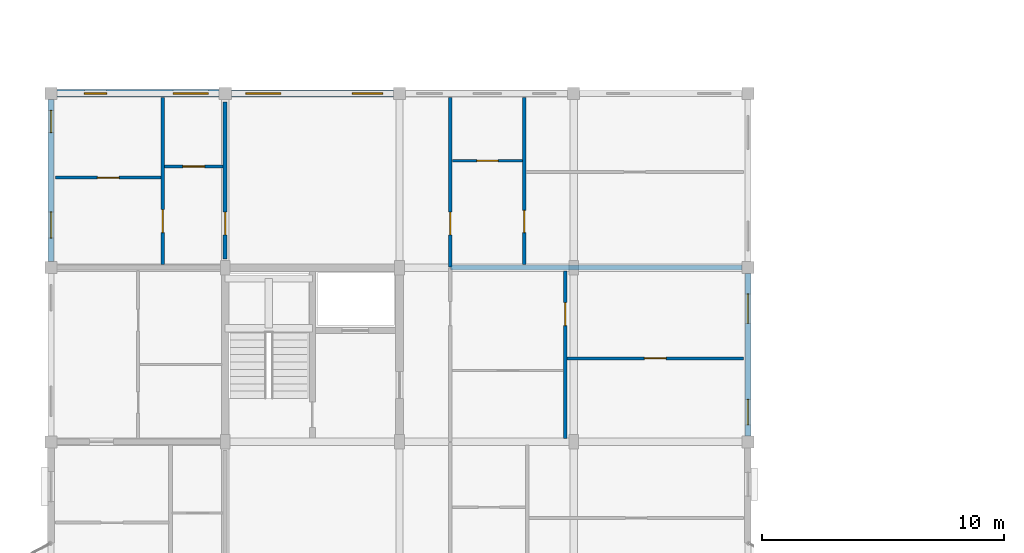
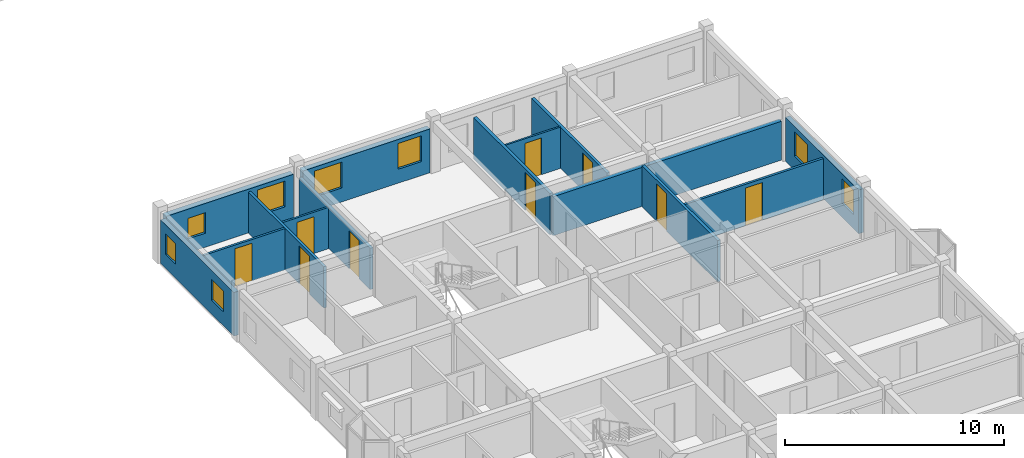
# One storey, part 48 of 65: 14 walls, 9 doors, 8 windows, 17 openings.
"""IFC4 building model written with IfcOpenShell, lengths in metres."""

import ifcopenshell
import ifcopenshell.guid

model = None  # the IFC model being written
_history = None  # IfcOwnerHistory: only IFC2X3 demands one
_inside = {}  # id of a spatial element -> (the spatial element, [elements in it])
_under = {}  # id of a project, library or spatial element -> (it, [spatial elements below it])
_declared = {}  # id of a project -> (the project, [libraries it declares])
_typed = {}  # id of a type object -> (the type object, [elements of that type])
_made_of = {}  # id of a material, layer set ... -> (it, [elements and type objects made of it])


def new_model(schema):
    """Start an empty IFC model of exactly this schema.

    Asked for "IFC4X3", IfcOpenShell would pick the latest addendum, in which some entities
    have other attributes; the version numbers below select the first issue.
    IFC2X3 requires an IfcOwnerHistory on every rooted entity: one is made here for all.
    """
    global model, _history
    if schema == "IFC4X3":
        model = ifcopenshell.file(schema_version=(4, 3, 0, 0))
    else:
        model = ifcopenshell.file(schema=schema)
    _inside.clear()
    _under.clear()
    _declared.clear()
    _typed.clear()
    _made_of.clear()
    _history = None
    if model.schema == "IFC2X3":
        org = make("IfcOrganization", Name="unknown")
        user = make(
            "IfcPersonAndOrganization",
            ThePerson=make("IfcPerson", FamilyName="unknown"),
            TheOrganization=org,
        )
        app = make(
            "IfcApplication",
            ApplicationDeveloper=org,
            Version="unknown",
            ApplicationFullName="unknown",
            ApplicationIdentifier="unknown",
        )
        _history = make(
            "IfcOwnerHistory",
            OwningUser=user,
            OwningApplication=app,
            ChangeAction="ADDED",
            CreationDate=0,
        )
    return model


def make(cls, **values):
    """One entity of the class cls with the attributes given. An attribute that is None is left unset."""
    return model.create_entity(
        cls, **{name: value for name, value in values.items() if value is not None}
    )


def rooted(cls, **values):
    """An entity with a GlobalId (a new one), such as an element, a storey or a relation."""
    return make(cls, GlobalId=ifcopenshell.guid.new(), OwnerHistory=_history, **values)


def si_unit(unit_type, name, prefix=None):
    """IfcSIUnit, for example si_unit("LENGTHUNIT", "METRE", prefix="MILLI")."""
    return make("IfcSIUnit", UnitType=unit_type, Prefix=prefix, Name=name)


def assignment(units):
    """IfcUnitAssignment: the units of a project."""
    return None if units is None else make("IfcUnitAssignment", Units=units)


def point(xyz):
    """IfcCartesianPoint."""
    return None if xyz is None else make("IfcCartesianPoint", Coordinates=xyz)


def direction(xyz):
    """IfcDirection."""
    return None if xyz is None else make("IfcDirection", DirectionRatios=xyz)


def frame(location, z_axis=None, x_axis=None):
    """IfcAxis2Placement3D, a coordinate frame: its origin and axes. An axis left out is left unset."""
    return make(
        "IfcAxis2Placement3D",
        Location=point(location),
        Axis=direction(z_axis),
        RefDirection=direction(x_axis),
    )


def frame_2d(location, x_axis=None):
    """IfcAxis2Placement2D, a coordinate frame in the plane: its origin and x axis."""
    return make(
        "IfcAxis2Placement2D", Location=point(location), RefDirection=direction(x_axis)
    )


def origin():
    """The frame at (0, 0, 0) with its axes left unset."""
    return frame((0.0, 0.0, 0.0))


def place(relative_to, where):
    """IfcLocalPlacement: puts the frame where relative to a parent placement (None: the world)."""
    return make(
        "IfcLocalPlacement", PlacementRelTo=relative_to, RelativePlacement=where
    )


def context(
    kind, dimensions, precision=None, world=None, true_north=None, identifier=None
):
    """IfcGeometricRepresentationContext, for example the 3D "Model" context."""
    return make(
        "IfcGeometricRepresentationContext",
        ContextIdentifier=identifier,
        ContextType=kind,
        CoordinateSpaceDimension=dimensions,
        Precision=precision,
        WorldCoordinateSystem=world,
        TrueNorth=true_north,
    )


def subcontext(parent, identifier, kind, view, scale=None):
    """IfcGeometricRepresentationSubContext, for example "Body" below "Model"."""
    return make(
        "IfcGeometricRepresentationSubContext",
        ContextIdentifier=identifier,
        ContextType=kind,
        ParentContext=parent,
        TargetScale=scale,
        TargetView=view,
    )


def project(units=None, contexts=None):
    """IfcProject with its units and contexts."""
    return rooted(
        "IfcProject",
        Name="project",
        RepresentationContexts=contexts,
        UnitsInContext=assignment(units),
    )


def spatial(cls, under=None, at=None, **own):
    """A site, building, storey or space (cls), placed at a placement, below another one or the project."""
    s = rooted(cls, ObjectPlacement=at, **own)
    if under is not None:
        _under.setdefault(under.id(), (under, []))[1].append(s)
    return s


def profile(cls, at=None, kind="AREA", **sizes):
    """A parametric profile (cls). Its sizes go by their IFC names, for example OverallWidth=200.0."""
    return make(cls, ProfileType=kind, Position=at, **sizes)


def rectangle(**sizes):
    """IfcRectangleProfileDef."""
    return profile("IfcRectangleProfileDef", **sizes)


def extrude(swept, where, along, depth):
    """IfcExtrudedAreaSolid: the profile swept, set in the frame where, extruded along a direction by depth."""
    return make(
        "IfcExtrudedAreaSolid",
        SweptArea=swept,
        Position=where,
        ExtrudedDirection=direction(along),
        Depth=depth,
    )


def shape(context_of_items, identifier, shape_type, items):
    """IfcShapeRepresentation: the items that make up one representation, for example the "Body"."""
    return make(
        "IfcShapeRepresentation",
        ContextOfItems=context_of_items,
        RepresentationIdentifier=identifier,
        RepresentationType=shape_type,
        Items=items,
    )


def material(Name=None, Category=None):
    """IfcMaterial."""
    return make("IfcMaterial", Name=Name, Category=Category)


def layer(
    of_material, thickness, ventilated=None, Name=None, Category=None, Priority=None
):
    """IfcMaterialLayer: one layer of a wall or slab, of a material (None: an air gap)."""
    return make(
        "IfcMaterialLayer",
        Material=of_material,
        LayerThickness=thickness,
        IsVentilated=ventilated,
        Name=Name,
        Category=Category,
        Priority=Priority,
    )


def layer_set(layers, Name=None):
    """IfcMaterialLayerSet."""
    return make("IfcMaterialLayerSet", MaterialLayers=layers, LayerSetName=Name)


def made_of(thing, what):
    """Note that an element or type object is made of a material, layer set ...; save() writes the relation."""
    if what is not None:
        _made_of.setdefault(what.id(), (what, []))[1].append(thing)
    return thing


def type_object(cls, material=None, **own):
    """A type object (cls), such as IfcWallType, which elements share."""
    return made_of(rooted(cls, **own), material)


def element(
    cls,
    number,
    at=None,
    inside=None,
    cuts=None,
    type_object=None,
    material=None,
    context=None,
    identifier="Body",
    shape_type=None,
    held_by="IfcProductDefinitionShape",
    body=None,
    shapes=None,
    **own,
):
    """One element of the class cls, such as IfcWall. Its Tag is "e" and its number.

    at: its placement. inside: the storey or other place that contains it. cuts: it is an
    opening in that element (IfcRelVoidsElement). A single representation is given by context,
    identifier, shape_type and body (its items); several are given by shapes. held_by: the class
    of the entity that holds the representations. save() writes the other relations.
    """
    e = rooted(cls, Tag="e%d" % number, ObjectPlacement=at, **own)
    if body is not None:
        shapes = [shape(context, identifier, shape_type, body)]
    if shapes is not None:
        e.Representation = make(held_by, Representations=shapes)
    if inside is not None:
        _inside.setdefault(inside.id(), (inside, []))[1].append(e)
    if cuts is not None:
        rooted(
            "IfcRelVoidsElement", RelatingBuildingElement=cuts, RelatedOpeningElement=e
        )
    if type_object is not None:
        _typed.setdefault(type_object.id(), (type_object, []))[1].append(e)
    return made_of(e, material)


def fill(opening, filler):
    """IfcRelFillsElement: the door or window that sits in an opening."""
    return rooted(
        "IfcRelFillsElement",
        RelatingOpeningElement=opening,
        RelatedBuildingElement=filler,
    )


def aggregate(whole, parts):
    """IfcRelAggregates: a whole, such as a stair, and the parts it consists of."""
    return rooted("IfcRelAggregates", RelatingObject=whole, RelatedObjects=parts)


def save(model, path):
    """Write the relations noted so far, then the file.

    IfcRelAggregates (storeys below a building ...), IfcRelContainedInSpatialStructure (elements
    in a storey), IfcRelDefinesByType, IfcRelAssociatesMaterial and IfcRelDeclares: one each for
    every whole, place, type object, material and project.
    """
    for whole, parts in _under.values():
        aggregate(whole, parts)
    for where, things in _inside.values():
        rooted(
            "IfcRelContainedInSpatialStructure",
            RelatedElements=things,
            RelatingStructure=where,
        )
    for kind, things in _typed.values():
        rooted("IfcRelDefinesByType", RelatedObjects=things, RelatingType=kind)
    for what, things in _made_of.values():
        rooted("IfcRelAssociatesMaterial", RelatedObjects=things, RelatingMaterial=what)
    for by, libraries in _declared.values():
        rooted("IfcRelDeclares", RelatingContext=by, RelatedDefinitions=libraries)
    model.write(path)


model = new_model("IFC4")

# Units and contexts
model_context = context("Model", 3, precision=1e-05, world=origin(), true_north=direction((0.0, 1.0)))
body_context = subcontext(model_context, "Body", "Model", "MODEL_VIEW")
ifc_project = project(units=[si_unit("LENGTHUNIT", "METRE"), si_unit("AREAUNIT", "SQUARE_METRE"), si_unit("VOLUMEUNIT", "CUBIC_METRE"), si_unit("PLANEANGLEUNIT", "RADIAN"), si_unit("MASSUNIT", "GRAM", prefix="KILO"), si_unit("THERMODYNAMICTEMPERATUREUNIT", "KELVIN"), si_unit("POWERUNIT", "WATT")], contexts=[model_context])

# Site, building, storey
site_placement = place(None, origin())
site = spatial("IfcSite", under=ifc_project, at=site_placement, CompositionType="ELEMENT")
building_placement = place(site_placement, origin())
building = spatial("IfcBuilding", under=site, at=building_placement, Name="Tavuni Mirador Residences", CompositionType="ELEMENT")
storey_placement = place(building_placement, frame((0.0, 0.0, 29.699951171875)))
storey = spatial("IfcBuildingStorey", under=building, at=storey_placement, Name="L09", CompositionType="ELEMENT", Elevation=29.699951171875)

# Wall, opening, door
ifc_material_1 = material(Name="Precast concrete C40/50", Category="concrete")
ifc_layer_1 = layer(ifc_material_1, 0.1650390625, Name="Precast concrete C40/50", Category="concrete")
ifc_layer_set_1 = layer_set([ifc_layer_1], Name="Precast concrete C40/50")
wall_type_1 = type_object("IfcWallType", Name="WT-CORR165", PredefinedType="PARTITIONING", material=ifc_layer_set_1)
wall_1_placement = place(storey_placement, frame((20.10009765625, 36.02001953125, 0.0), z_axis=(0.0, 0.0, 1.0), x_axis=(0.0, 1.0, 0.0)))
wall_1 = element("IfcWall", 1, at=wall_1_placement, inside=storey, type_object=wall_type_1, Name="CORW-BLK-A-L09-0-04", PredefinedType="PARTITIONING", context=body_context, shape_type="SweptSolid", body=[
    extrude(rectangle(XDim=7.0048828125, YDim=0.1650390625, at=frame_2d((3.50244140625, 0.0))), origin(), (0.0, 0.0, 1.0), 2.304931640625),
])
opening_1_placement = place(wall_1_placement, frame((1.330078125, 0.0, 0.0)))
opening_1 = element("IfcOpeningElement", 2, at=opening_1_placement, cuts=wall_1, Name="Opening D-19", PredefinedType="OPENING", context=body_context, shape_type="SweptSolid", body=[
    extrude(rectangle(XDim=0.93994140625, YDim=2.1201171875, at=frame_2d((0.469970703125, 1.06005859375))), frame((0.0, 0.092529296875, 0.0), z_axis=(0.0, -1.0, 0.0), x_axis=(1.0, 0.0, 0.0)), (0.0, 0.0, 1.0), 0.18505859375),
])
ifc_material_2 = material(Name="Solid core iroko timber", Category="wood")
door_type_1 = type_object("IfcDoorType", Name="DT-FD60-940", OperationType="NOTDEFINED", PredefinedType="DOOR", material=ifc_material_2)
door_1_placement = place(opening_1_placement, origin())
door_1 = element("IfcDoor", 3, at=door_1_placement, inside=storey, type_object=door_type_1, Name="DR-2473", OperationType="SINGLE_SWING_RIGHT", OverallHeight=2.1201171875, OverallWidth=0.93994140625, PredefinedType="DOOR", context=body_context, shape_type="SweptSolid", body=[
    extrude(rectangle(XDim=0.93994140625, YDim=2.1201171875, at=frame_2d((0.469970703125, 1.06005859375))), frame((0.0, 0.02490234375, 0.0), z_axis=(0.0, -1.0, 0.0), x_axis=(1.0, 0.0, 0.0)), (0.0, 0.0, 1.0), 0.050048828125),
])
fill(opening_1, door_1)

wall_2_placement = place(storey_placement, frame((10.800048828125, 36.35009765625, 0.0), z_axis=(0.0, 0.0, 1.0), x_axis=(0.0, 1.0, 0.0)))
wall_2 = element("IfcWall", 4, at=wall_2_placement, inside=storey, type_object=wall_type_1, Name="CORW-BLK-A-L09-1-04", PredefinedType="PARTITIONING", context=body_context, shape_type="SweptSolid", body=[
    extrude(rectangle(XDim=6.5, YDim=0.1650390625, at=frame_2d((3.25, 0.0))), origin(), (0.0, 0.0, 1.0), 2.304931640625),
])
opening_2_placement = place(wall_2_placement, frame((1.0, 0.0, 0.0)))
opening_2 = element("IfcOpeningElement", 5, at=opening_2_placement, cuts=wall_2, Name="Opening D-19", PredefinedType="OPENING", context=body_context, shape_type="SweptSolid", body=[
    extrude(rectangle(XDim=0.93994140625, YDim=2.1201171875, at=frame_2d((0.469970703125, 1.06005859375))), frame((0.0, 0.092529296875, 0.0), z_axis=(0.0, -1.0, 0.0), x_axis=(1.0, 0.0, 0.0)), (0.0, 0.0, 1.0), 0.18505859375),
])
door_2_placement = place(opening_2_placement, origin())
door_2 = element("IfcDoor", 6, at=door_2_placement, inside=storey, type_object=door_type_1, Name="DR-2476", OperationType="SINGLE_SWING_LEFT", OverallHeight=2.1201171875, OverallWidth=0.93994140625, PredefinedType="DOOR", context=body_context, shape_type="SweptSolid", body=[
    extrude(rectangle(XDim=0.93994140625, YDim=2.1201171875, at=frame_2d((0.469970703125, 1.06005859375))), frame((0.0, 0.02490234375, 0.0), z_axis=(0.0, -1.0, 0.0), x_axis=(1.0, 0.0, 0.0)), (0.0, 0.0, 1.0), 0.050048828125),
])
fill(opening_2, door_2)

# Wall, openings, windows
ifc_material_3 = material(Name="Sgraffito lime-rendered precast concrete C40/50", Category="concrete")
ifc_layer_2 = layer(ifc_material_3, 0.2451171875, Name="Sgraffito lime-rendered precast concrete C40/50", Category="concrete")
ifc_layer_set_2 = layer_set([ifc_layer_2], Name="Sgraffito lime-rendered precast concrete C40/50")
wall_type_2 = type_object("IfcWallType", Name="WT-EXT-PC245", PredefinedType="SOLIDWALL", material=ifc_layer_set_2)
wall_3_placement = place(storey_placement, frame((3.60009765625, 42.949951171875, 0.0), z_axis=(0.0, 0.0, 1.0), x_axis=(0.0, -1.0, 0.0)))
wall_3 = element("IfcWall", 7, at=wall_3_placement, inside=storey, type_object=wall_type_2, Name="EW-BLK-A-L09-W04", PredefinedType="SOLIDWALL", context=body_context, shape_type="SweptSolid", body=[
    extrude(rectangle(XDim=6.699951171875, YDim=0.2451171875, at=frame_2d((3.35009765625, 0.0))), origin(), (0.0, 0.0, 1.0), 2.43994140625),
])
opening_3_placement = place(wall_3_placement, frame((0.449951171875, 0.0, 0.780029296875)))
opening_3 = element("IfcOpeningElement", 8, at=opening_3_placement, cuts=wall_3, Name="Opening WN-02", PredefinedType="OPENING", context=body_context, shape_type="SweptSolid", body=[
    extrude(rectangle(XDim=0.919921875, YDim=1.14990234375, at=frame_2d((0.4599609375, 0.574951171875))), frame((0.0, 0.132568359375, 0.0), z_axis=(0.0, -1.0, 0.0), x_axis=(1.0, 0.0, 0.0)), (0.0, 0.0, 1.0), 0.26513671875),
])
opening_4_placement = place(wall_3_placement, frame((4.64990234375, 0.0, 0.780029296875)))
opening_4 = element("IfcOpeningElement", 9, at=opening_4_placement, cuts=wall_3, Name="Opening WN-04", PredefinedType="OPENING", context=body_context, shape_type="SweptSolid", body=[
    extrude(rectangle(XDim=1.080078125, YDim=1.14990234375, at=frame_2d((0.5400390625, 0.574951171875))), frame((0.0, 0.132568359375, 0.0), z_axis=(0.0, -1.0, 0.0), x_axis=(1.0, 0.0, 0.0)), (0.0, 0.0, 1.0), 0.26513671875),
])
ifc_material_4 = material(Name="Laminated solar-control glass", Category="glass")
window_type_1 = type_object("IfcWindowType", Name="WNT-02", PartitioningType="SINGLE_PANEL", PredefinedType="WINDOW", material=ifc_material_4)
window_1_placement = place(opening_3_placement, origin())
window_1 = element("IfcWindow", 10, at=window_1_placement, inside=storey, type_object=window_type_1, Name="WIN-0352", OverallHeight=1.14990234375, OverallWidth=0.919921875, PartitioningType="SINGLE_PANEL", PredefinedType="WINDOW", context=body_context, shape_type="SweptSolid", body=[
    extrude(rectangle(XDim=0.919921875, YDim=1.14990234375, at=frame_2d((0.4599609375, 0.574951171875))), frame((0.0, 0.030029296875, 0.0), z_axis=(0.0, -1.0, 0.0), x_axis=(1.0, 0.0, 0.0)), (0.0, 0.0, 1.0), 0.06005859375),
])
fill(opening_3, window_1)
window_type_2 = type_object("IfcWindowType", Name="WNT-04", PartitioningType="SINGLE_PANEL", PredefinedType="WINDOW", material=ifc_material_4)
window_2_placement = place(opening_4_placement, origin())
window_2 = element("IfcWindow", 11, at=window_2_placement, inside=storey, type_object=window_type_2, Name="WIN-0353", OverallHeight=1.14990234375, OverallWidth=1.080078125, PartitioningType="SINGLE_PANEL", PredefinedType="WINDOW", context=body_context, shape_type="SweptSolid", body=[
    extrude(rectangle(XDim=1.080078125, YDim=1.14990234375, at=frame_2d((0.5400390625, 0.574951171875))), frame((0.0, 0.030029296875, 0.0), z_axis=(0.0, -1.0, 0.0), x_axis=(1.0, 0.0, 0.0)), (0.0, 0.0, 1.0), 0.06005859375),
])
fill(opening_4, window_2)

ifc_layer_3 = layer(ifc_material_3, 0.2548828125, Name="Sgraffito lime-rendered precast concrete C40/50", Category="concrete")
ifc_layer_set_3 = layer_set([ifc_layer_3], Name="Sgraffito lime-rendered precast concrete C40/50")
wall_type_3 = type_object("IfcWallType", Name="WT-EXT-PC255", PredefinedType="SOLIDWALL", material=ifc_layer_set_3)
wall_4_placement = place(storey_placement, frame((32.39990234375, 29.050048828125, 0.0), z_axis=(0.0, 0.0, 1.0), x_axis=(0.0, 1.0, 0.0)))
wall_4 = element("IfcWall", 12, at=wall_4_placement, inside=storey, type_object=wall_type_3, Name="EW-BLK-A-L09-E03", PredefinedType="SOLIDWALL", context=body_context, shape_type="SweptSolid", body=[
    extrude(rectangle(XDim=6.699951171875, YDim=0.2548828125, at=frame_2d((3.35009765625, 0.0))), origin(), (0.0, 0.0, 1.0), 2.43994140625),
])
opening_5_placement = place(wall_4_placement, frame((0.449951171875, 0.0, 0.780029296875)))
opening_5 = element("IfcOpeningElement", 13, at=opening_5_placement, cuts=wall_4, Name="Opening WN-19", PredefinedType="OPENING", context=body_context, shape_type="SweptSolid", body=[
    extrude(rectangle(XDim=1.06005859375, YDim=1.360107421875, at=frame_2d((0.530029296875, 0.68017578125))), frame((0.0, 0.137451171875, 0.0), z_axis=(0.0, -1.0, 0.0), x_axis=(1.0, 0.0, 0.0)), (0.0, 0.0, 1.0), 0.27490234375),
])
opening_6_placement = place(wall_4_placement, frame((4.64990234375, 0.0, 0.780029296875)))
opening_6 = element("IfcOpeningElement", 14, at=opening_6_placement, cuts=wall_4, Name="Opening WN-21", PredefinedType="OPENING", context=body_context, shape_type="SweptSolid", body=[
    extrude(rectangle(XDim=1.219970703125, YDim=1.360107421875, at=frame_2d((0.60986328125, 0.68017578125))), frame((0.0, 0.137451171875, 0.0), z_axis=(0.0, -1.0, 0.0), x_axis=(1.0, 0.0, 0.0)), (0.0, 0.0, 1.0), 0.27490234375),
])
window_type_3 = type_object("IfcWindowType", Name="WNT-19", PartitioningType="SINGLE_PANEL", PredefinedType="WINDOW", material=ifc_material_4)
window_3_placement = place(opening_5_placement, origin())
window_3 = element("IfcWindow", 15, at=window_3_placement, inside=storey, type_object=window_type_3, Name="WIN-0339", OverallHeight=1.360107421875, OverallWidth=1.06005859375, PartitioningType="SINGLE_PANEL", PredefinedType="WINDOW", context=body_context, shape_type="SweptSolid", body=[
    extrude(rectangle(XDim=1.06005859375, YDim=1.360107421875, at=frame_2d((0.530029296875, 0.68017578125))), frame((0.0, 0.030029296875, 0.0), z_axis=(0.0, -1.0, 0.0), x_axis=(1.0, 0.0, 0.0)), (0.0, 0.0, 1.0), 0.06005859375),
])
fill(opening_5, window_3)
window_type_4 = type_object("IfcWindowType", Name="WNT-21", PartitioningType="SINGLE_PANEL", PredefinedType="WINDOW", material=ifc_material_4)
window_4_placement = place(opening_6_placement, origin())
window_4 = element("IfcWindow", 16, at=window_4_placement, inside=storey, type_object=window_type_4, Name="WIN-0340", OverallHeight=1.360107421875, OverallWidth=1.219970703125, PartitioningType="SINGLE_PANEL", PredefinedType="WINDOW", context=body_context, shape_type="SweptSolid", body=[
    extrude(rectangle(XDim=1.219970703125, YDim=1.360107421875, at=frame_2d((0.60986328125, 0.68017578125))), frame((0.0, 0.030029296875, 0.0), z_axis=(0.0, -1.0, 0.0), x_axis=(1.0, 0.0, 0.0)), (0.0, 0.0, 1.0), 0.06005859375),
])
fill(opening_6, window_4)

ifc_layer_4 = layer(ifc_material_3, 0.2900390625, Name="Sgraffito lime-rendered precast concrete C40/50", Category="concrete")
ifc_layer_set_4 = layer_set([ifc_layer_4], Name="Sgraffito lime-rendered precast concrete C40/50")
wall_type_4 = type_object("IfcWallType", Name="WT-EXT-PC290", PredefinedType="SOLIDWALL", material=ifc_layer_set_4)
wall_5_placement = place(storey_placement, frame((17.75, 43.199951171875, 0.0), z_axis=(0.0, 0.0, 1.0), x_axis=(-1.0, 0.0, 0.0)))
wall_5 = element("IfcWall", 17, at=wall_5_placement, inside=storey, type_object=wall_type_4, Name="EW-BLK-A-L09-N01", PredefinedType="SOLIDWALL", context=body_context, shape_type="SweptSolid", body=[
    extrude(rectangle(XDim=6.699951171875, YDim=0.2900390625, at=frame_2d((3.35009765625, 0.0))), origin(), (0.0, 0.0, 1.0), 2.43994140625),
])
opening_7_placement = place(wall_5_placement, frame((0.449951171875, 0.0, 0.780029296875)))
opening_7 = element("IfcOpeningElement", 18, at=opening_7_placement, cuts=wall_5, Name="Opening WN-28", PredefinedType="OPENING", context=body_context, shape_type="SweptSolid", body=[
    extrude(rectangle(XDim=1.25, YDim=1.43994140625, at=frame_2d((0.625, 0.719970703125))), frame((0.0, 0.155029296875, 0.0), z_axis=(0.0, -1.0, 0.0), x_axis=(1.0, 0.0, 0.0)), (0.0, 0.0, 1.0), 0.31005859375),
])
opening_8_placement = place(wall_5_placement, frame((4.64990234375, 0.0, 0.780029296875)))
opening_8 = element("IfcOpeningElement", 19, at=opening_8_placement, cuts=wall_5, Name="Opening WN-30", PredefinedType="OPENING", context=body_context, shape_type="SweptSolid", body=[
    extrude(rectangle(XDim=1.449951171875, YDim=1.43994140625, at=frame_2d((0.72509765625, 0.719970703125))), frame((0.0, 0.155029296875, 0.0), z_axis=(0.0, -1.0, 0.0), x_axis=(1.0, 0.0, 0.0)), (0.0, 0.0, 1.0), 0.31005859375),
])
window_type_5 = type_object("IfcWindowType", Name="WNT-28", PartitioningType="SINGLE_PANEL", PredefinedType="WINDOW", material=ifc_material_4)
window_5_placement = place(opening_7_placement, origin())
window_5 = element("IfcWindow", 20, at=window_5_placement, inside=storey, type_object=window_type_5, Name="WIN-0348", OverallHeight=1.43994140625, OverallWidth=1.25, PartitioningType="SINGLE_PANEL", PredefinedType="WINDOW", context=body_context, shape_type="SweptSolid", body=[
    extrude(rectangle(XDim=1.25, YDim=1.43994140625, at=frame_2d((0.625, 0.719970703125))), frame((0.0, 0.030029296875, 0.0), z_axis=(0.0, -1.0, 0.0), x_axis=(1.0, 0.0, 0.0)), (0.0, 0.0, 1.0), 0.06005859375),
])
fill(opening_7, window_5)
window_type_6 = type_object("IfcWindowType", Name="WNT-30", PartitioningType="SINGLE_PANEL", PredefinedType="WINDOW", material=ifc_material_4)
window_6_placement = place(opening_8_placement, origin())
window_6 = element("IfcWindow", 21, at=window_6_placement, inside=storey, type_object=window_type_6, Name="WIN-0349", OverallHeight=1.43994140625, OverallWidth=1.449951171875, PartitioningType="SINGLE_PANEL", PredefinedType="WINDOW", context=body_context, shape_type="SweptSolid", body=[
    extrude(rectangle(XDim=1.449951171875, YDim=1.43994140625, at=frame_2d((0.72509765625, 0.719970703125))), frame((0.0, 0.030029296875, 0.0), z_axis=(0.0, -1.0, 0.0), x_axis=(1.0, 0.0, 0.0)), (0.0, 0.0, 1.0), 0.06005859375),
])
fill(opening_8, window_6)

ifc_layer_5 = layer(ifc_material_3, 0.304931640625, Name="Sgraffito lime-rendered precast concrete C40/50", Category="concrete")
ifc_layer_set_5 = layer_set([ifc_layer_5], Name="Sgraffito lime-rendered precast concrete C40/50")
wall_type_5 = type_object("IfcWallType", Name="WT-EXT-PC305", PredefinedType="SOLIDWALL", material=ifc_layer_set_5)
wall_6_placement = place(storey_placement, frame((10.550048828125, 43.199951171875, 0.0), z_axis=(0.0, 0.0, 1.0), x_axis=(-1.0, 0.0, 0.0)))
wall_6 = element("IfcWall", 22, at=wall_6_placement, inside=storey, type_object=wall_type_5, Name="EW-BLK-A-L09-N00", PredefinedType="SOLIDWALL", context=body_context, shape_type="SweptSolid", body=[
    extrude(rectangle(XDim=6.699951171875, YDim=0.304931640625, at=frame_2d((3.35009765625, 0.0))), origin(), (0.0, 0.0, 1.0), 2.43994140625),
])
opening_9_placement = place(wall_6_placement, frame((0.449951171875, 0.0, 0.780029296875)))
opening_9 = element("IfcOpeningElement", 23, at=opening_9_placement, cuts=wall_6, Name="Opening WN-30", PredefinedType="OPENING", context=body_context, shape_type="SweptSolid", body=[
    extrude(rectangle(XDim=1.449951171875, YDim=1.43994140625, at=frame_2d((0.72509765625, 0.719970703125))), frame((0.0, 0.16259765625, 0.0), z_axis=(0.0, -1.0, 0.0), x_axis=(1.0, 0.0, 0.0)), (0.0, 0.0, 1.0), 0.324951171875),
])
opening_10_placement = place(wall_6_placement, frame((4.64990234375, 0.0, 0.780029296875)))
opening_10 = element("IfcOpeningElement", 24, at=opening_10_placement, cuts=wall_6, Name="Opening WN-02", PredefinedType="OPENING", context=body_context, shape_type="SweptSolid", body=[
    extrude(rectangle(XDim=0.919921875, YDim=1.14990234375, at=frame_2d((0.4599609375, 0.574951171875))), frame((0.0, 0.16259765625, 0.0), z_axis=(0.0, -1.0, 0.0), x_axis=(1.0, 0.0, 0.0)), (0.0, 0.0, 1.0), 0.324951171875),
])
window_7_placement = place(opening_10_placement, origin())
window_7 = element("IfcWindow", 25, at=window_7_placement, inside=storey, type_object=window_type_1, Name="WIN-0351", OverallHeight=1.14990234375, OverallWidth=0.919921875, PartitioningType="SINGLE_PANEL", PredefinedType="WINDOW", context=body_context, shape_type="SweptSolid", body=[
    extrude(rectangle(XDim=0.919921875, YDim=1.14990234375, at=frame_2d((0.4599609375, 0.574951171875))), frame((0.0, 0.030029296875, 0.0), z_axis=(0.0, -1.0, 0.0), x_axis=(1.0, 0.0, 0.0)), (0.0, 0.0, 1.0), 0.06005859375),
])
fill(opening_10, window_7)
window_8_placement = place(opening_9_placement, origin())
window_8 = element("IfcWindow", 26, at=window_8_placement, inside=storey, type_object=window_type_6, Name="WIN-0350", OverallHeight=1.43994140625, OverallWidth=1.449951171875, PartitioningType="SINGLE_PANEL", PredefinedType="WINDOW", context=body_context, shape_type="SweptSolid", body=[
    extrude(rectangle(XDim=1.449951171875, YDim=1.43994140625, at=frame_2d((0.72509765625, 0.719970703125))), frame((0.0, 0.030029296875, 0.0), z_axis=(0.0, -1.0, 0.0), x_axis=(1.0, 0.0, 0.0)), (0.0, 0.0, 1.0), 0.06005859375),
])
fill(opening_9, window_8)

# Wall, opening, door
ifc_material_5 = material(Name="Acoustic gypsum and concrete block partition", Category="concrete")
ifc_layer_6 = layer(ifc_material_5, 0.094970703125, Name="Acoustic gypsum and concrete block partition", Category="concrete")
ifc_layer_set_6 = layer_set([ifc_layer_6], Name="Acoustic gypsum and concrete block partition")
wall_type_6 = type_object("IfcWallType", Name="WT-PART095", PredefinedType="PARTITIONING", material=ifc_layer_set_6)
wall_7_placement = place(storey_placement, frame((20.18994140625, 40.419921875, 0.0), z_axis=(0.0, 0.0, 1.0), x_axis=(1.0, 0.0, 0.0)))
wall_7 = element("IfcWall", 27, at=wall_7_placement, inside=storey, type_object=wall_type_6, Name="PW-BLK-A-L09-E04-IN1", PredefinedType="PARTITIONING", context=body_context, shape_type="SweptSolid", body=[
    extrude(rectangle(XDim=2.900146484375, YDim=0.094970703125, at=frame_2d((1.4501953125, 0.0))), origin(), (0.0, 0.0, 1.0), 2.304931640625),
])
opening_11_placement = place(wall_7_placement, frame((1.014892578125, 0.0, 0.0)))
opening_11 = element("IfcOpeningElement", 28, at=opening_11_placement, cuts=wall_7, Name="Opening D-10", PredefinedType="OPENING", context=body_context, shape_type="SweptSolid", body=[
    extrude(rectangle(XDim=0.8701171875, YDim=2.050048828125, at=frame_2d((0.43505859375, 1.02490234375))), frame((0.0, 0.0576171875, 0.0), z_axis=(0.0, -1.0, 0.0), x_axis=(1.0, 0.0, 0.0)), (0.0, 0.0, 1.0), 0.114990234375),
])
door_type_2 = type_object("IfcDoorType", Name="DT-WC870", OperationType="NOTDEFINED", PredefinedType="DOOR", material=ifc_material_2)
door_3_placement = place(opening_11_placement, origin())
door_3 = element("IfcDoor", 29, at=door_3_placement, inside=storey, type_object=door_type_2, Name="DR-3254", OperationType="SINGLE_SWING_LEFT", OverallHeight=2.050048828125, OverallWidth=0.8701171875, PredefinedType="DOOR", context=body_context, shape_type="SweptSolid", body=[
    extrude(rectangle(XDim=0.8701171875, YDim=2.050048828125, at=frame_2d((0.43505859375, 1.02490234375))), frame((0.0, 0.02490234375, 0.0), z_axis=(0.0, -1.0, 0.0), x_axis=(1.0, 0.0, 0.0)), (0.0, 0.0, 1.0), 0.050048828125),
])
fill(opening_11, door_3)

ifc_layer_7 = layer(ifc_material_5, 0.10498046875, Name="Acoustic gypsum and concrete block partition", Category="concrete")
ifc_layer_set_7 = layer_set([ifc_layer_7], Name="Acoustic gypsum and concrete block partition")
wall_type_7 = type_object("IfcWallType", Name="WT-PART105", PredefinedType="PARTITIONING", material=ifc_layer_set_7)
wall_8_placement = place(storey_placement, frame((8.2900390625, 40.179931640625, 0.0), z_axis=(0.0, 0.0, 1.0), x_axis=(1.0, 0.0, 0.0)))
wall_8 = element("IfcWall", 30, at=wall_8_placement, inside=storey, type_object=wall_type_7, Name="PW-BLK-A-L09-W04-IN1", PredefinedType="PARTITIONING", context=body_context, shape_type="SweptSolid", body=[
    extrude(rectangle(XDim=2.419921875, YDim=0.10498046875, at=frame_2d((1.2099609375, 0.0))), origin(), (0.0, 0.0, 1.0), 2.304931640625),
])
opening_12_placement = place(wall_8_placement, frame((0.760009765625, 0.0, 0.0)))
opening_12 = element("IfcOpeningElement", 31, at=opening_12_placement, cuts=wall_8, Name="Opening D-09", PredefinedType="OPENING", context=body_context, shape_type="SweptSolid", body=[
    extrude(rectangle(XDim=0.89990234375, YDim=2.050048828125, at=frame_2d((0.449951171875, 1.02490234375))), frame((0.0, 0.0625, 0.0), z_axis=(0.0, -1.0, 0.0), x_axis=(1.0, 0.0, 0.0)), (0.0, 0.0, 1.0), 0.125),
])
door_type_3 = type_object("IfcDoorType", Name="DT-WC900", OperationType="NOTDEFINED", PredefinedType="DOOR", material=ifc_material_2)
door_4_placement = place(opening_12_placement, origin())
door_4 = element("IfcDoor", 32, at=door_4_placement, inside=storey, type_object=door_type_3, Name="DR-3251", OperationType="SINGLE_SWING_RIGHT", OverallHeight=2.050048828125, OverallWidth=0.89990234375, PredefinedType="DOOR", context=body_context, shape_type="SweptSolid", body=[
    extrude(rectangle(XDim=0.89990234375, YDim=2.050048828125, at=frame_2d((0.449951171875, 1.02490234375))), frame((0.0, 0.02490234375, 0.0), z_axis=(0.0, -1.0, 0.0), x_axis=(1.0, 0.0, 0.0)), (0.0, 0.0, 1.0), 0.050048828125),
])
fill(opening_12, door_4)

ifc_layer_8 = layer(ifc_material_5, 0.114990234375, Name="Acoustic gypsum and concrete block partition", Category="concrete")
ifc_layer_set_8 = layer_set([ifc_layer_8], Name="Acoustic gypsum and concrete block partition")
wall_type_8 = type_object("IfcWallType", Name="WT-PART115", PredefinedType="PARTITIONING", material=ifc_layer_set_8)
wall_9_placement = place(storey_placement, frame((3.77490234375, 39.719970703125, 0.0), z_axis=(0.0, 0.0, 1.0), x_axis=(1.0, 0.0, 0.0)))
wall_9 = element("IfcWall", 33, at=wall_9_placement, inside=storey, type_object=wall_type_8, Name="PW-BLK-A-L09-W04-OUT", PredefinedType="PARTITIONING", context=body_context, shape_type="SweptSolid", body=[
    extrude(rectangle(XDim=4.375, YDim=0.114990234375, at=frame_2d((2.1875, 0.0))), origin(), (0.0, 0.0, 1.0), 2.304931640625),
])
opening_13_placement = place(wall_9_placement, frame((1.737548828125, 0.0, 0.0)))
opening_13 = element("IfcOpeningElement", 34, at=opening_13_placement, cuts=wall_9, Name="Opening D-07", PredefinedType="OPENING", context=body_context, shape_type="SweptSolid", body=[
    extrude(rectangle(XDim=0.89990234375, YDim=2.10009765625, at=frame_2d((0.449951171875, 1.050048828125))), frame((0.0, 0.0673828125, 0.0), z_axis=(0.0, -1.0, 0.0), x_axis=(1.0, 0.0, 0.0)), (0.0, 0.0, 1.0), 0.135009765625),
])
door_type_4 = type_object("IfcDoorType", Name="DT-BED900", OperationType="NOTDEFINED", PredefinedType="DOOR", material=ifc_material_2)
door_5_placement = place(opening_13_placement, origin())
door_5 = element("IfcDoor", 35, at=door_5_placement, inside=storey, type_object=door_type_4, Name="DR-3250", OperationType="SINGLE_SWING_LEFT", OverallHeight=2.10009765625, OverallWidth=0.89990234375, PredefinedType="DOOR", context=body_context, shape_type="SweptSolid", body=[
    extrude(rectangle(XDim=0.89990234375, YDim=2.10009765625, at=frame_2d((0.449951171875, 1.050048828125))), frame((0.0, 0.02490234375, 0.0), z_axis=(0.0, -1.0, 0.0), x_axis=(1.0, 0.0, 0.0)), (0.0, 0.0, 1.0), 0.050048828125),
])
fill(opening_13, door_5)

ifc_layer_9 = layer(ifc_material_5, 0.125, Name="Acoustic gypsum and concrete block partition", Category="concrete")
ifc_layer_set_9 = layer_set([ifc_layer_9], Name="Acoustic gypsum and concrete block partition")
wall_type_9 = type_object("IfcWallType", Name="WT-PART125", PredefinedType="PARTITIONING", material=ifc_layer_set_9)
wall_10_placement = place(storey_placement, frame((24.919921875, 32.25, 0.0), z_axis=(0.0, 0.0, 1.0), x_axis=(1.0, 0.0, 0.0)))
wall_10 = element("IfcWall", 36, at=wall_10_placement, inside=storey, type_object=wall_type_9, Name="PW-BLK-A-L09-E03-OUT", PredefinedType="PARTITIONING", context=body_context, shape_type="SweptSolid", body=[
    extrude(rectangle(XDim=7.30517578125, YDim=0.125, at=frame_2d((3.652587890625, 0.0))), origin(), (0.0, 0.0, 1.0), 2.304931640625),
])
opening_14_placement = place(wall_10_placement, frame((3.202392578125, 0.0, 0.0)))
opening_14 = element("IfcOpeningElement", 37, at=opening_14_placement, cuts=wall_10, Name="Opening D-07", PredefinedType="OPENING", context=body_context, shape_type="SweptSolid", body=[
    extrude(rectangle(XDim=0.89990234375, YDim=2.10009765625, at=frame_2d((0.449951171875, 1.050048828125))), frame((0.0, 0.072509765625, 0.0), z_axis=(0.0, -1.0, 0.0), x_axis=(1.0, 0.0, 0.0)), (0.0, 0.0, 1.0), 0.14501953125),
])
door_6_placement = place(opening_14_placement, origin())
door_6 = element("IfcDoor", 38, at=door_6_placement, inside=storey, type_object=door_type_4, Name="DR-3247", OperationType="SINGLE_SWING_LEFT", OverallHeight=2.10009765625, OverallWidth=0.89990234375, PredefinedType="DOOR", context=body_context, shape_type="SweptSolid", body=[
    extrude(rectangle(XDim=0.89990234375, YDim=2.10009765625, at=frame_2d((0.449951171875, 1.050048828125))), frame((0.0, 0.02490234375, 0.0), z_axis=(0.0, -1.0, 0.0), x_axis=(1.0, 0.0, 0.0)), (0.0, 0.0, 1.0), 0.050048828125),
])
fill(opening_14, door_6)

ifc_layer_10 = layer(ifc_material_5, 0.139892578125, Name="Acoustic gypsum and concrete block partition", Category="concrete")
ifc_layer_set_10 = layer_set([ifc_layer_10], Name="Acoustic gypsum and concrete block partition")
wall_type_10 = type_object("IfcWallType", Name="WT-PART140", PredefinedType="PARTITIONING", material=ifc_layer_set_10)
wall_11_placement = place(storey_placement, frame((8.219970703125, 36.139892578125, 0.0), z_axis=(0.0, 0.0, 1.0), x_axis=(0.0, 1.0, 0.0)))
wall_11 = element("IfcWall", 39, at=wall_11_placement, inside=storey, type_object=wall_type_10, Name="PW-BLK-A-L09-W04-MID", PredefinedType="PARTITIONING", context=body_context, shape_type="SweptSolid", body=[
    extrude(rectangle(XDim=6.885009765625, YDim=0.139892578125, at=frame_2d((3.4423828125, 0.0))), origin(), (0.0, 0.0, 1.0), 2.304931640625),
])
opening_15_placement = place(wall_11_placement, frame((1.31005859375, 0.0, 0.0)))
opening_15 = element("IfcOpeningElement", 40, at=opening_15_placement, cuts=wall_11, Name="Opening D-05", PredefinedType="OPENING", context=body_context, shape_type="SweptSolid", body=[
    extrude(rectangle(XDim=0.949951171875, YDim=2.10009765625, at=frame_2d((0.47509765625, 1.050048828125))), frame((0.0, 0.080078125, 0.0), z_axis=(0.0, -1.0, 0.0), x_axis=(1.0, 0.0, 0.0)), (0.0, 0.0, 1.0), 0.159912109375),
])
door_type_5 = type_object("IfcDoorType", Name="DT-INT950", OperationType="NOTDEFINED", PredefinedType="DOOR", material=ifc_material_2)
door_7_placement = place(opening_15_placement, origin())
door_7 = element("IfcDoor", 41, at=door_7_placement, inside=storey, type_object=door_type_5, Name="DR-3252", OperationType="SINGLE_SWING_LEFT", OverallHeight=2.10009765625, OverallWidth=0.949951171875, PredefinedType="DOOR", context=body_context, shape_type="SweptSolid", body=[
    extrude(rectangle(XDim=0.949951171875, YDim=2.10009765625, at=frame_2d((0.47509765625, 1.050048828125))), frame((0.0, 0.02490234375, 0.0), z_axis=(0.0, -1.0, 0.0), x_axis=(1.0, 0.0, 0.0)), (0.0, 0.0, 1.0), 0.050048828125),
])
fill(opening_15, door_7)

ifc_layer_11 = layer(ifc_material_5, 0.14990234375, Name="Acoustic gypsum and concrete block partition", Category="concrete")
ifc_layer_set_11 = layer_set([ifc_layer_11], Name="Acoustic gypsum and concrete block partition")
wall_type_11 = type_object("IfcWallType", Name="WT-PART150", PredefinedType="PARTITIONING", material=ifc_layer_set_11)
wall_12_placement = place(storey_placement, frame((24.85009765625, 28.93994140625, 0.0), z_axis=(0.0, 0.0, 1.0), x_axis=(0.0, 1.0, 0.0)))
wall_12 = element("IfcWall", 42, at=wall_12_placement, inside=storey, type_object=wall_type_11, Name="PW-BLK-A-L09-E03-MID", PredefinedType="PARTITIONING", context=body_context, shape_type="SweptSolid", body=[
    extrude(rectangle(XDim=6.920166015625, YDim=0.14990234375, at=frame_2d((3.4599609375, 0.0))), origin(), (0.0, 0.0, 1.0), 2.304931640625),
])
opening_16_placement = place(wall_12_placement, frame((4.659912109375, 0.0, 0.0)))
opening_16 = element("IfcOpeningElement", 43, at=opening_16_placement, cuts=wall_12, Name="Opening D-05", PredefinedType="OPENING", context=body_context, shape_type="SweptSolid", body=[
    extrude(rectangle(XDim=0.949951171875, YDim=2.10009765625, at=frame_2d((0.47509765625, 1.050048828125))), frame((0.0, 0.0849609375, 0.0), z_axis=(0.0, -1.0, 0.0), x_axis=(1.0, 0.0, 0.0)), (0.0, 0.0, 1.0), 0.169921875),
])
door_8_placement = place(opening_16_placement, origin())
door_8 = element("IfcDoor", 44, at=door_8_placement, inside=storey, type_object=door_type_5, Name="DR-3249", OperationType="SINGLE_SWING_LEFT", OverallHeight=2.10009765625, OverallWidth=0.949951171875, PredefinedType="DOOR", context=body_context, shape_type="SweptSolid", body=[
    extrude(rectangle(XDim=0.949951171875, YDim=2.10009765625, at=frame_2d((0.47509765625, 1.050048828125))), frame((0.0, 0.02490234375, 0.0), z_axis=(0.0, -1.0, 0.0), x_axis=(1.0, 0.0, 0.0)), (0.0, 0.0, 1.0), 0.050048828125),
])
fill(opening_16, door_8)

wall_13_placement = place(storey_placement, frame((23.159912109375, 36.139892578125, 0.0), z_axis=(0.0, 0.0, 1.0), x_axis=(0.0, 1.0, 0.0)))
wall_13 = element("IfcWall", 45, at=wall_13_placement, inside=storey, type_object=wall_type_11, Name="PW-BLK-A-L09-E04-MID", PredefinedType="PARTITIONING", context=body_context, shape_type="SweptSolid", body=[
    extrude(rectangle(XDim=6.885009765625, YDim=0.14990234375, at=frame_2d((3.4423828125, 0.0))), origin(), (0.0, 0.0, 1.0), 2.304931640625),
])
opening_17_placement = place(wall_13_placement, frame((1.31005859375, 0.0, 0.0)))
opening_17 = element("IfcOpeningElement", 46, at=opening_17_placement, cuts=wall_13, Name="Opening D-06", PredefinedType="OPENING", context=body_context, shape_type="SweptSolid", body=[
    extrude(rectangle(XDim=0.919921875, YDim=2.10009765625, at=frame_2d((0.4599609375, 1.050048828125))), frame((0.0, 0.0849609375, 0.0), z_axis=(0.0, -1.0, 0.0), x_axis=(1.0, 0.0, 0.0)), (0.0, 0.0, 1.0), 0.169921875),
])
door_type_6 = type_object("IfcDoorType", Name="DT-INT920", OperationType="NOTDEFINED", PredefinedType="DOOR", material=ifc_material_2)
door_9_placement = place(opening_17_placement, origin())
door_9 = element("IfcDoor", 47, at=door_9_placement, inside=storey, type_object=door_type_6, Name="DR-3255", OperationType="SINGLE_SWING_RIGHT", OverallHeight=2.10009765625, OverallWidth=0.919921875, PredefinedType="DOOR", context=body_context, shape_type="SweptSolid", body=[
    extrude(rectangle(XDim=0.919921875, YDim=2.10009765625, at=frame_2d((0.4599609375, 1.050048828125))), frame((0.0, 0.02490234375, 0.0), z_axis=(0.0, -1.0, 0.0), x_axis=(1.0, 0.0, 0.0)), (0.0, 0.0, 1.0), 0.050048828125),
])
fill(opening_17, door_9)

# Wall
ifc_layer_12 = layer(ifc_material_1, 0.215087890625, Name="Precast concrete C40/50", Category="concrete")
ifc_layer_set_12 = layer_set([ifc_layer_12], Name="Precast concrete C40/50")
wall_type_12 = type_object("IfcWallType", Name="WT-XW215", PredefinedType="SOLIDWALL", material=ifc_layer_set_12)
wall_14_placement = place(storey_placement, frame((20.10009765625, 36.0, 0.0), z_axis=(0.0, 0.0, 1.0), x_axis=(1.0, 0.0, 0.0)))
element("IfcWall", 48, at=wall_14_placement, inside=storey, type_object=wall_type_12, Name="XW-BLK-A-L09-E-04", PredefinedType="SOLIDWALL", context=body_context, shape_type="SweptSolid", body=[
    extrude(rectangle(XDim=12.0498046875, YDim=0.215087890625, at=frame_2d((6.02490234375, 0.0))), origin(), (0.0, 0.0, 1.0), 2.170166015625),
])

save(model, "model.ifc")
